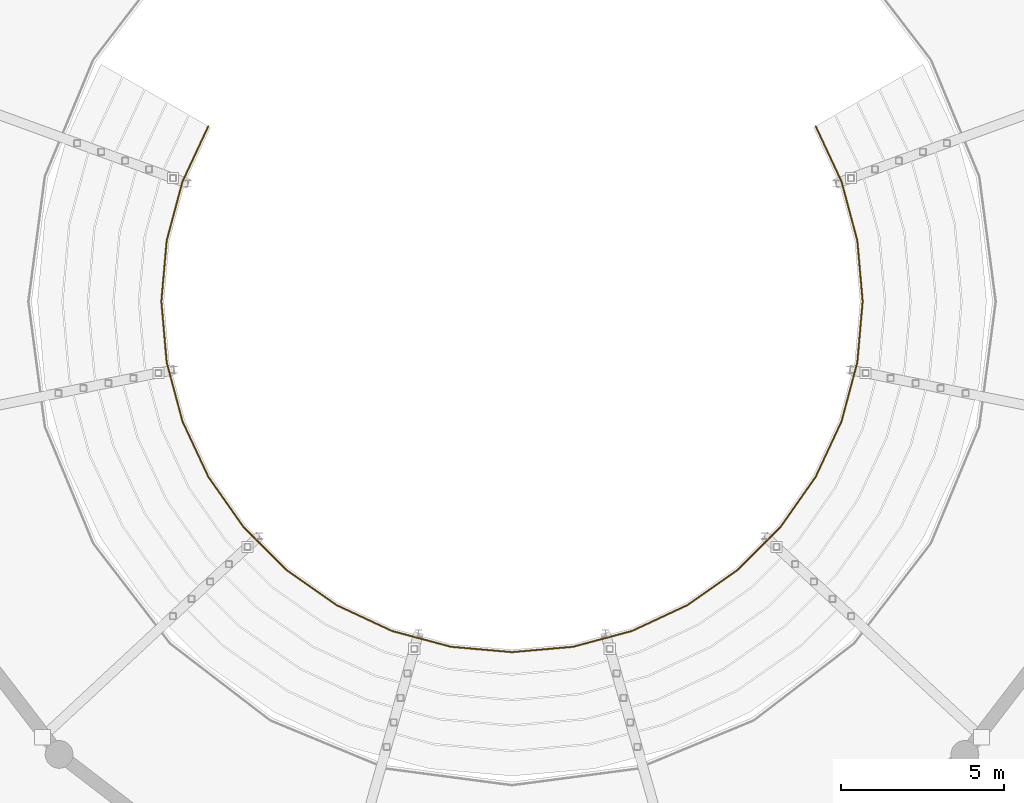
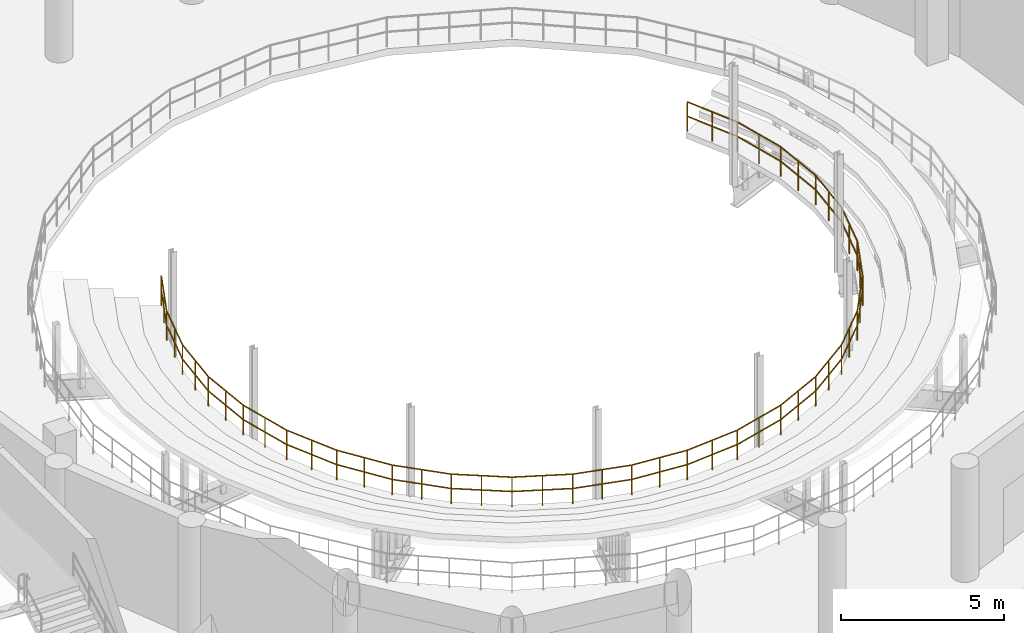
# One storey, part 78 of 85: 1 railing.
"""IFC4 building model written with IfcOpenShell, lengths in metres."""

from ifc_helpers import new_model, si_unit, direction, frame, origin, origin_2d, place, context, subcontext, project, spatial, circle, extrude, material, type_object, element, save


model = new_model("IFC4")

# Units and contexts
model_context = context("Model", 3, precision=1e-05, world=origin(), true_north=direction((0.0, 1.0)))
body_context = subcontext(model_context, "Body", "Model", "MODEL_VIEW")
ifc_project = project(units=[si_unit("LENGTHUNIT", "METRE"), si_unit("AREAUNIT", "SQUARE_METRE"), si_unit("VOLUMEUNIT", "CUBIC_METRE"), si_unit("PLANEANGLEUNIT", "RADIAN"), si_unit("MASSUNIT", "GRAM", prefix="KILO")], contexts=[model_context])

# Site, building, storey
site_placement = place(None, origin())
site = spatial("IfcSite", under=ifc_project, at=site_placement, CompositionType="ELEMENT")
building_placement = place(site_placement, origin())
building = spatial("IfcBuilding", under=site, at=building_placement, Name="Marnock Terrace Opera House", CompositionType="ELEMENT")
storey_placement = place(building_placement, frame((0.0, 0.0, 10.199951171875)))
storey = spatial("IfcBuildingStorey", under=building, at=storey_placement, Name="L02", CompositionType="ELEMENT", Elevation=10.199951171875)

# Railing
ifc_material = material(Name="Architectural bronze balustrade")
railing_type = type_object("IfcRailingType", Name="RL-ATRIUM-1120", PredefinedType="BALUSTRADE", material=ifc_material)
railing_placement = place(storey_placement, frame((72.70751953125, 65.864990234375, 0.35009765625)))
element("IfcRailing", 1, at=railing_placement, inside=storey, type_object=railing_type, Name="L02 floor opening balustrade TIER-FRONT-L02", PredefinedType="BALUSTRADE", context=body_context, shape_type="SweptSolid", body=[
    extrude(circle(Radius=0.02392578125, at=origin_2d()), frame((0.0, 0.0, 1.09619140625), z_axis=(-0.422663928723, -0.906286490773, 0.0), x_axis=(0.906286490773, -0.422663928723, 0.0)), (0.0, 0.0, 1.0), 1.870361328125),
    extrude(circle(Radius=0.02392578125, at=origin_2d()), frame((0.0, 0.0, 0.56005859375), z_axis=(-0.422663928723, -0.906286490773, 0.0), x_axis=(0.906286490773, -0.422663928723, 0.0)), (0.0, 0.0, 1.0), 1.870361328125),
    extrude(circle(Radius=0.02392578125, at=origin_2d()), frame((-0.79052734375, -1.695068359375, 1.09619140625), z_axis=(-0.258718685807, -0.965952711893, 0.0), x_axis=(0.965952711893, -0.258718685807, 0.0)), (0.0, 0.0, 1.0), 1.870361328125),
    extrude(circle(Radius=0.02392578125, at=origin_2d()), frame((-0.79052734375, -1.695068359375, 0.56005859375), z_axis=(-0.258718685807, -0.965952711893, 0.0), x_axis=(0.965952711893, -0.258718685807, 0.0)), (0.0, 0.0, 1.0), 1.870361328125),
    extrude(circle(Radius=0.02392578125, at=origin_2d()), frame((-1.2744140625, -3.501708984375, 1.09619140625), z_axis=(-0.087192857545, -0.996191450271, 0.0), x_axis=(0.996191450271, -0.087192857545, 0.0)), (0.0, 0.0, 1.0), 1.870361328125),
    extrude(circle(Radius=0.02392578125, at=origin_2d()), frame((-1.2744140625, -3.501708984375, 0.56005859375), z_axis=(-0.087192857545, -0.996191450271, 0.0), x_axis=(0.996191450271, -0.087192857545, 0.0)), (0.0, 0.0, 1.0), 1.870361328125),
    extrude(circle(Radius=0.02392578125, at=origin_2d()), frame((-1.4375, -5.364990234375, 1.09619140625), z_axis=(0.087192857545, -0.996191450271, 0.0), x_axis=(0.996191450271, 0.087192857545, 0.0)), (0.0, 0.0, 1.0), 1.870361328125),
    extrude(circle(Radius=0.02392578125, at=origin_2d()), frame((-1.4375, -5.364990234375, 0.56005859375), z_axis=(0.087192857545, -0.996191450271, 0.0), x_axis=(0.996191450271, 0.087192857545, 0.0)), (0.0, 0.0, 1.0), 1.870361328125),
    extrude(circle(Radius=0.02392578125, at=origin_2d()), frame((-1.2744140625, -7.228271484375, 1.09619140625), z_axis=(0.258718685807, -0.965952711893, 0.0), x_axis=(0.965952711893, 0.258718685807, 0.0)), (0.0, 0.0, 1.0), 1.870361328125),
    extrude(circle(Radius=0.02392578125, at=origin_2d()), frame((-1.2744140625, -7.228271484375, 0.56005859375), z_axis=(0.258718685807, -0.965952711893, 0.0), x_axis=(0.965952711893, 0.258718685807, 0.0)), (0.0, 0.0, 1.0), 1.870361328125),
    extrude(circle(Radius=0.02392578125, at=origin_2d()), frame((-0.79052734375, -9.034912109375, 1.09619140625), z_axis=(0.422663928723, -0.906286490773, 0.0), x_axis=(0.906286490773, 0.422663928723, 0.0)), (0.0, 0.0, 1.0), 1.870361328125),
    extrude(circle(Radius=0.02392578125, at=origin_2d()), frame((-0.79052734375, -9.034912109375, 0.56005859375), z_axis=(0.422663928723, -0.906286490773, 0.0), x_axis=(0.906286490773, 0.422663928723, 0.0)), (0.0, 0.0, 1.0), 1.870361328125),
    extrude(circle(Radius=0.02392578125, at=origin_2d()), frame((0.0, -10.72998046875, 1.09619140625), z_axis=(0.573532423483, -0.819182860669, 0.0), x_axis=(0.819182860669, 0.573532423483, 0.0)), (0.0, 0.0, 1.0), 1.870361328125),
    extrude(circle(Radius=0.02392578125, at=origin_2d()), frame((0.0, -10.72998046875, 0.56005859375), z_axis=(0.573532423483, -0.819182860669, 0.0), x_axis=(0.819182860669, 0.573532423483, 0.0)), (0.0, 0.0, 1.0), 1.870361328125),
    extrude(circle(Radius=0.02392578125, at=origin_2d()), frame((1.07275390625, -12.26220703125, 1.09619140625), z_axis=(0.707106781187, -0.707106781187, 0.0), x_axis=(0.707106781187, 0.707106781187, 0.0)), (0.0, 0.0, 1.0), 1.870361328125),
    extrude(circle(Radius=0.02392578125, at=origin_2d()), frame((1.07275390625, -12.26220703125, 0.56005859375), z_axis=(0.707106781187, -0.707106781187, 0.0), x_axis=(0.707106781187, 0.707106781187, 0.0)), (0.0, 0.0, 1.0), 1.870361328125),
    extrude(circle(Radius=0.02392578125, at=origin_2d()), frame((2.395263671875, -13.584716796875, 1.09619140625), z_axis=(0.819182860669, -0.573532423483, 0.0), x_axis=(0.573532423483, 0.819182860669, 0.0)), (0.0, 0.0, 1.0), 1.870361328125),
    extrude(circle(Radius=0.02392578125, at=origin_2d()), frame((2.395263671875, -13.584716796875, 0.56005859375), z_axis=(0.819182860669, -0.573532423483, 0.0), x_axis=(0.573532423483, 0.819182860669, 0.0)), (0.0, 0.0, 1.0), 1.870361328125),
    extrude(circle(Radius=0.02392578125, at=origin_2d()), frame((3.927490234375, -14.657470703125, 1.09619140625), z_axis=(0.906286490773, -0.422663928723, 0.0), x_axis=(0.422663928723, 0.906286490773, 0.0)), (0.0, 0.0, 1.0), 1.870361328125),
    extrude(circle(Radius=0.02392578125, at=origin_2d()), frame((3.927490234375, -14.657470703125, 0.56005859375), z_axis=(0.906286490773, -0.422663928723, 0.0), x_axis=(0.422663928723, 0.906286490773, 0.0)), (0.0, 0.0, 1.0), 1.870361328125),
    extrude(circle(Radius=0.02392578125, at=origin_2d()), frame((5.62255859375, -15.447998046875, 1.09619140625), z_axis=(0.965952711893, -0.258718685807, 0.0), x_axis=(0.258718685807, 0.965952711893, 0.0)), (0.0, 0.0, 1.0), 1.870361328125),
    extrude(circle(Radius=0.02392578125, at=origin_2d()), frame((5.62255859375, -15.447998046875, 0.56005859375), z_axis=(0.965952711893, -0.258718685807, 0.0), x_axis=(0.258718685807, 0.965952711893, 0.0)), (0.0, 0.0, 1.0), 1.870361328125),
    extrude(circle(Radius=0.02392578125, at=origin_2d()), frame((7.42919921875, -15.931884765625, 1.09619140625), z_axis=(0.996191450271, -0.087192857545, 0.0), x_axis=(0.087192857545, 0.996191450271, 0.0)), (0.0, 0.0, 1.0), 1.870361328125),
    extrude(circle(Radius=0.02392578125, at=origin_2d()), frame((7.42919921875, -15.931884765625, 0.56005859375), z_axis=(0.996191450271, -0.087192857545, 0.0), x_axis=(0.087192857545, 0.996191450271, 0.0)), (0.0, 0.0, 1.0), 1.870361328125),
    extrude(circle(Radius=0.02392578125, at=origin_2d()), frame((9.29248046875, -16.094970703125, 1.09619140625), z_axis=(0.996191450271, 0.087192857545, 0.0), x_axis=(-0.087192857545, 0.996191450271, 0.0)), (0.0, 0.0, 1.0), 1.870361328125),
    extrude(circle(Radius=0.02392578125, at=origin_2d()), frame((9.29248046875, -16.094970703125, 0.56005859375), z_axis=(0.996191450271, 0.087192857545, 0.0), x_axis=(-0.087192857545, 0.996191450271, 0.0)), (0.0, 0.0, 1.0), 1.870361328125),
    extrude(circle(Radius=0.02392578125, at=origin_2d()), frame((11.15576171875, -15.931884765625, 1.09619140625), z_axis=(0.965952711893, 0.258718685807, 0.0), x_axis=(-0.258718685807, 0.965952711893, 0.0)), (0.0, 0.0, 1.0), 1.870361328125),
    extrude(circle(Radius=0.02392578125, at=origin_2d()), frame((11.15576171875, -15.931884765625, 0.56005859375), z_axis=(0.965952711893, 0.258718685807, 0.0), x_axis=(-0.258718685807, 0.965952711893, 0.0)), (0.0, 0.0, 1.0), 1.870361328125),
    extrude(circle(Radius=0.02392578125, at=origin_2d()), frame((12.96240234375, -15.447998046875, 1.09619140625), z_axis=(0.906286490773, 0.422663928723, 0.0), x_axis=(-0.422663928723, 0.906286490773, 0.0)), (0.0, 0.0, 1.0), 1.870361328125),
    extrude(circle(Radius=0.02392578125, at=origin_2d()), frame((12.96240234375, -15.447998046875, 0.56005859375), z_axis=(0.906286490773, 0.422663928723, 0.0), x_axis=(-0.422663928723, 0.906286490773, 0.0)), (0.0, 0.0, 1.0), 1.870361328125),
    extrude(circle(Radius=0.02392578125, at=origin_2d()), frame((14.657470703125, -14.657470703125, 1.09619140625), z_axis=(0.819182860669, 0.573532423483, 0.0), x_axis=(-0.573532423483, 0.819182860669, 0.0)), (0.0, 0.0, 1.0), 1.870361328125),
    extrude(circle(Radius=0.02392578125, at=origin_2d()), frame((14.657470703125, -14.657470703125, 0.56005859375), z_axis=(0.819182860669, 0.573532423483, 0.0), x_axis=(-0.573532423483, 0.819182860669, 0.0)), (0.0, 0.0, 1.0), 1.870361328125),
    extrude(circle(Radius=0.02392578125, at=origin_2d()), frame((16.189697265625, -13.584716796875, 1.09619140625), z_axis=(0.707106781187, 0.707106781187, 0.0), x_axis=(-0.707106781187, 0.707106781187, 0.0)), (0.0, 0.0, 1.0), 1.870361328125),
    extrude(circle(Radius=0.02392578125, at=origin_2d()), frame((16.189697265625, -13.584716796875, 0.56005859375), z_axis=(0.707106781187, 0.707106781187, 0.0), x_axis=(-0.707106781187, 0.707106781187, 0.0)), (0.0, 0.0, 1.0), 1.870361328125),
    extrude(circle(Radius=0.02392578125, at=origin_2d()), frame((17.51220703125, -12.26220703125, 1.09619140625), z_axis=(0.573532423483, 0.819182860669, 0.0), x_axis=(-0.819182860669, 0.573532423483, 0.0)), (0.0, 0.0, 1.0), 1.870361328125),
    extrude(circle(Radius=0.02392578125, at=origin_2d()), frame((17.51220703125, -12.26220703125, 0.56005859375), z_axis=(0.573532423483, 0.819182860669, 0.0), x_axis=(-0.819182860669, 0.573532423483, 0.0)), (0.0, 0.0, 1.0), 1.870361328125),
    extrude(circle(Radius=0.02392578125, at=origin_2d()), frame((18.5849609375, -10.72998046875, 1.09619140625), z_axis=(0.422663928723, 0.906286490773, 0.0), x_axis=(-0.906286490773, 0.422663928723, 0.0)), (0.0, 0.0, 1.0), 1.870361328125),
    extrude(circle(Radius=0.02392578125, at=origin_2d()), frame((18.5849609375, -10.72998046875, 0.56005859375), z_axis=(0.422663928723, 0.906286490773, 0.0), x_axis=(-0.906286490773, 0.422663928723, 0.0)), (0.0, 0.0, 1.0), 1.870361328125),
    extrude(circle(Radius=0.02392578125, at=origin_2d()), frame((19.37548828125, -9.034912109375, 1.09619140625), z_axis=(0.258718685807, 0.965952711893, 0.0), x_axis=(-0.965952711893, 0.258718685807, 0.0)), (0.0, 0.0, 1.0), 1.870361328125),
    extrude(circle(Radius=0.02392578125, at=origin_2d()), frame((19.37548828125, -9.034912109375, 0.56005859375), z_axis=(0.258718685807, 0.965952711893, 0.0), x_axis=(-0.965952711893, 0.258718685807, 0.0)), (0.0, 0.0, 1.0), 1.870361328125),
    extrude(circle(Radius=0.02392578125, at=origin_2d()), frame((19.859375, -7.228271484375, 1.09619140625), z_axis=(0.087192857545, 0.996191450271, 0.0), x_axis=(-0.996191450271, 0.087192857545, 0.0)), (0.0, 0.0, 1.0), 1.870361328125),
    extrude(circle(Radius=0.02392578125, at=origin_2d()), frame((19.859375, -7.228271484375, 0.56005859375), z_axis=(0.087192857545, 0.996191450271, 0.0), x_axis=(-0.996191450271, 0.087192857545, 0.0)), (0.0, 0.0, 1.0), 1.870361328125),
    extrude(circle(Radius=0.02392578125, at=origin_2d()), frame((20.0224609375, -5.364990234375, 1.09619140625), z_axis=(-0.087192857545, 0.996191450271, 0.0), x_axis=(-0.996191450271, -0.087192857545, 0.0)), (0.0, 0.0, 1.0), 1.870361328125),
    extrude(circle(Radius=0.02392578125, at=origin_2d()), frame((20.0224609375, -5.364990234375, 0.56005859375), z_axis=(-0.087192857545, 0.996191450271, 0.0), x_axis=(-0.996191450271, -0.087192857545, 0.0)), (0.0, 0.0, 1.0), 1.870361328125),
    extrude(circle(Radius=0.02392578125, at=origin_2d()), frame((19.859375, -3.501708984375, 1.09619140625), z_axis=(-0.258718685807, 0.965952711893, 0.0), x_axis=(-0.965952711893, -0.258718685807, 0.0)), (0.0, 0.0, 1.0), 1.870361328125),
    extrude(circle(Radius=0.02392578125, at=origin_2d()), frame((19.859375, -3.501708984375, 0.56005859375), z_axis=(-0.258718685807, 0.965952711893, 0.0), x_axis=(-0.965952711893, -0.258718685807, 0.0)), (0.0, 0.0, 1.0), 1.870361328125),
    extrude(circle(Radius=0.02392578125, at=origin_2d()), frame((19.37548828125, -1.695068359375, 1.09619140625), z_axis=(-0.422663928723, 0.906286490773, 0.0), x_axis=(-0.906286490773, -0.422663928723, 0.0)), (0.0, 0.0, 1.0), 1.870361328125),
    extrude(circle(Radius=0.02392578125, at=origin_2d()), frame((19.37548828125, -1.695068359375, 0.56005859375), z_axis=(-0.422663928723, 0.906286490773, 0.0), x_axis=(-0.906286490773, -0.422663928723, 0.0)), (0.0, 0.0, 1.0), 1.870361328125),
    extrude(circle(Radius=0.02099609375, at=origin_2d()), origin(), (0.0, 0.0, 1.0), 1.072021484375),
    extrude(circle(Radius=0.02099609375, at=origin_2d()), frame((-0.395263671875, -0.84765625, 0.0)), (0.0, 0.0, 1.0), 1.072021484375),
    extrude(circle(Radius=0.02099609375, at=origin_2d()), frame((-0.79052734375, -1.695068359375, 0.0)), (0.0, 0.0, 1.0), 1.072021484375),
    extrude(circle(Radius=0.02099609375, at=origin_2d()), frame((-1.032470703125, -2.598388671875, 0.0)), (0.0, 0.0, 1.0), 1.072021484375),
    extrude(circle(Radius=0.02099609375, at=origin_2d()), frame((-1.2744140625, -3.501708984375, 0.0)), (0.0, 0.0, 1.0), 1.072021484375),
    extrude(circle(Radius=0.02099609375, at=origin_2d()), frame((-1.35595703125, -4.433349609375, 0.0)), (0.0, 0.0, 1.0), 1.072021484375),
    extrude(circle(Radius=0.02099609375, at=origin_2d()), frame((-1.4375, -5.364990234375, 0.0)), (0.0, 0.0, 1.0), 1.072021484375),
    extrude(circle(Radius=0.02099609375, at=origin_2d()), frame((-1.35595703125, -6.296630859375, 0.0)), (0.0, 0.0, 1.0), 1.072021484375),
    extrude(circle(Radius=0.02099609375, at=origin_2d()), frame((-1.2744140625, -7.228271484375, 0.0)), (0.0, 0.0, 1.0), 1.072021484375),
    extrude(circle(Radius=0.02099609375, at=origin_2d()), frame((-1.032470703125, -8.131591796875, 0.0)), (0.0, 0.0, 1.0), 1.072021484375),
    extrude(circle(Radius=0.02099609375, at=origin_2d()), frame((-0.79052734375, -9.034912109375, 0.0)), (0.0, 0.0, 1.0), 1.072021484375),
    extrude(circle(Radius=0.02099609375, at=origin_2d()), frame((-0.395263671875, -9.88232421875, 0.0)), (0.0, 0.0, 1.0), 1.072021484375),
    extrude(circle(Radius=0.02099609375, at=origin_2d()), frame((0.0, -10.72998046875, 0.0)), (0.0, 0.0, 1.0), 1.072021484375),
    extrude(circle(Radius=0.02099609375, at=origin_2d()), frame((0.536376953125, -11.49609375, 0.0)), (0.0, 0.0, 1.0), 1.072021484375),
    extrude(circle(Radius=0.02099609375, at=origin_2d()), frame((1.07275390625, -12.26220703125, 0.0)), (0.0, 0.0, 1.0), 1.072021484375),
    extrude(circle(Radius=0.02099609375, at=origin_2d()), frame((1.73388671875, -12.92333984375, 0.0)), (0.0, 0.0, 1.0), 1.072021484375),
    extrude(circle(Radius=0.02099609375, at=origin_2d()), frame((2.395263671875, -13.584716796875, 0.0)), (0.0, 0.0, 1.0), 1.072021484375),
    extrude(circle(Radius=0.02099609375, at=origin_2d()), frame((3.161376953125, -14.12109375, 0.0)), (0.0, 0.0, 1.0), 1.072021484375),
    extrude(circle(Radius=0.02099609375, at=origin_2d()), frame((3.927490234375, -14.657470703125, 0.0)), (0.0, 0.0, 1.0), 1.072021484375),
    extrude(circle(Radius=0.02099609375, at=origin_2d()), frame((4.77490234375, -15.052734375, 0.0)), (0.0, 0.0, 1.0), 1.072021484375),
    extrude(circle(Radius=0.02099609375, at=origin_2d()), frame((5.62255859375, -15.447998046875, 0.0)), (0.0, 0.0, 1.0), 1.072021484375),
    extrude(circle(Radius=0.02099609375, at=origin_2d()), frame((6.52587890625, -15.68994140625, 0.0)), (0.0, 0.0, 1.0), 1.072021484375),
    extrude(circle(Radius=0.02099609375, at=origin_2d()), frame((7.42919921875, -15.931884765625, 0.0)), (0.0, 0.0, 1.0), 1.072021484375),
    extrude(circle(Radius=0.02099609375, at=origin_2d()), frame((8.36083984375, -16.013427734375, 0.0)), (0.0, 0.0, 1.0), 1.072021484375),
    extrude(circle(Radius=0.02099609375, at=origin_2d()), frame((9.29248046875, -16.094970703125, 0.0)), (0.0, 0.0, 1.0), 1.072021484375),
    extrude(circle(Radius=0.02099609375, at=origin_2d()), frame((10.22412109375, -16.013427734375, 0.0)), (0.0, 0.0, 1.0), 1.072021484375),
    extrude(circle(Radius=0.02099609375, at=origin_2d()), frame((11.15576171875, -15.931884765625, 0.0)), (0.0, 0.0, 1.0), 1.072021484375),
    extrude(circle(Radius=0.02099609375, at=origin_2d()), frame((12.05908203125, -15.68994140625, 0.0)), (0.0, 0.0, 1.0), 1.072021484375),
    extrude(circle(Radius=0.02099609375, at=origin_2d()), frame((12.96240234375, -15.447998046875, 0.0)), (0.0, 0.0, 1.0), 1.072021484375),
    extrude(circle(Radius=0.02099609375, at=origin_2d()), frame((13.81005859375, -15.052734375, 0.0)), (0.0, 0.0, 1.0), 1.072021484375),
    extrude(circle(Radius=0.02099609375, at=origin_2d()), frame((14.657470703125, -14.657470703125, 0.0)), (0.0, 0.0, 1.0), 1.072021484375),
    extrude(circle(Radius=0.02099609375, at=origin_2d()), frame((15.423583984375, -14.12109375, 0.0)), (0.0, 0.0, 1.0), 1.072021484375),
    extrude(circle(Radius=0.02099609375, at=origin_2d()), frame((16.189697265625, -13.584716796875, 0.0)), (0.0, 0.0, 1.0), 1.072021484375),
    extrude(circle(Radius=0.02099609375, at=origin_2d()), frame((16.85107421875, -12.92333984375, 0.0)), (0.0, 0.0, 1.0), 1.072021484375),
    extrude(circle(Radius=0.02099609375, at=origin_2d()), frame((17.51220703125, -12.26220703125, 0.0)), (0.0, 0.0, 1.0), 1.072021484375),
    extrude(circle(Radius=0.02099609375, at=origin_2d()), frame((18.048583984375, -11.49609375, 0.0)), (0.0, 0.0, 1.0), 1.072021484375),
    extrude(circle(Radius=0.02099609375, at=origin_2d()), frame((18.5849609375, -10.72998046875, 0.0)), (0.0, 0.0, 1.0), 1.072021484375),
    extrude(circle(Radius=0.02099609375, at=origin_2d()), frame((18.980224609375, -9.88232421875, 0.0)), (0.0, 0.0, 1.0), 1.072021484375),
    extrude(circle(Radius=0.02099609375, at=origin_2d()), frame((19.37548828125, -9.034912109375, 0.0)), (0.0, 0.0, 1.0), 1.072021484375),
    extrude(circle(Radius=0.02099609375, at=origin_2d()), frame((19.617431640625, -8.131591796875, 0.0)), (0.0, 0.0, 1.0), 1.072021484375),
    extrude(circle(Radius=0.02099609375, at=origin_2d()), frame((19.859375, -7.228271484375, 0.0)), (0.0, 0.0, 1.0), 1.072021484375),
    extrude(circle(Radius=0.02099609375, at=origin_2d()), frame((19.94091796875, -6.296630859375, 0.0)), (0.0, 0.0, 1.0), 1.072021484375),
    extrude(circle(Radius=0.02099609375, at=origin_2d()), frame((20.0224609375, -5.364990234375, 0.0)), (0.0, 0.0, 1.0), 1.072021484375),
    extrude(circle(Radius=0.02099609375, at=origin_2d()), frame((19.94091796875, -4.433349609375, 0.0)), (0.0, 0.0, 1.0), 1.072021484375),
    extrude(circle(Radius=0.02099609375, at=origin_2d()), frame((19.859375, -3.501708984375, 0.0)), (0.0, 0.0, 1.0), 1.072021484375),
    extrude(circle(Radius=0.02099609375, at=origin_2d()), frame((19.617431640625, -2.598388671875, 0.0)), (0.0, 0.0, 1.0), 1.072021484375),
    extrude(circle(Radius=0.02099609375, at=origin_2d()), frame((19.37548828125, -1.695068359375, 0.0)), (0.0, 0.0, 1.0), 1.072021484375),
    extrude(circle(Radius=0.02099609375, at=origin_2d()), frame((18.980224609375, -0.84765625, 0.0)), (0.0, 0.0, 1.0), 1.072021484375),
    extrude(circle(Radius=0.02099609375, at=origin_2d()), frame((18.5849609375, 0.0, 0.0)), (0.0, 0.0, 1.0), 1.072021484375),
])

save(model, "model.ifc")
